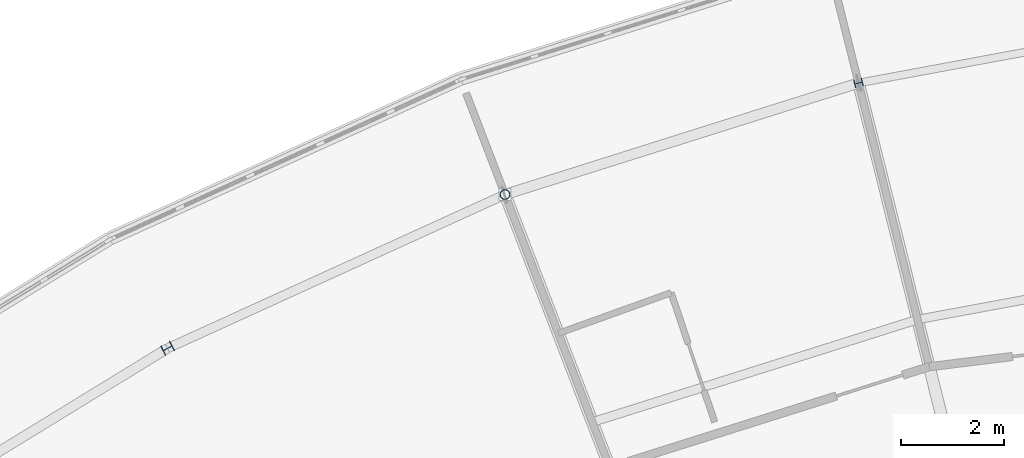
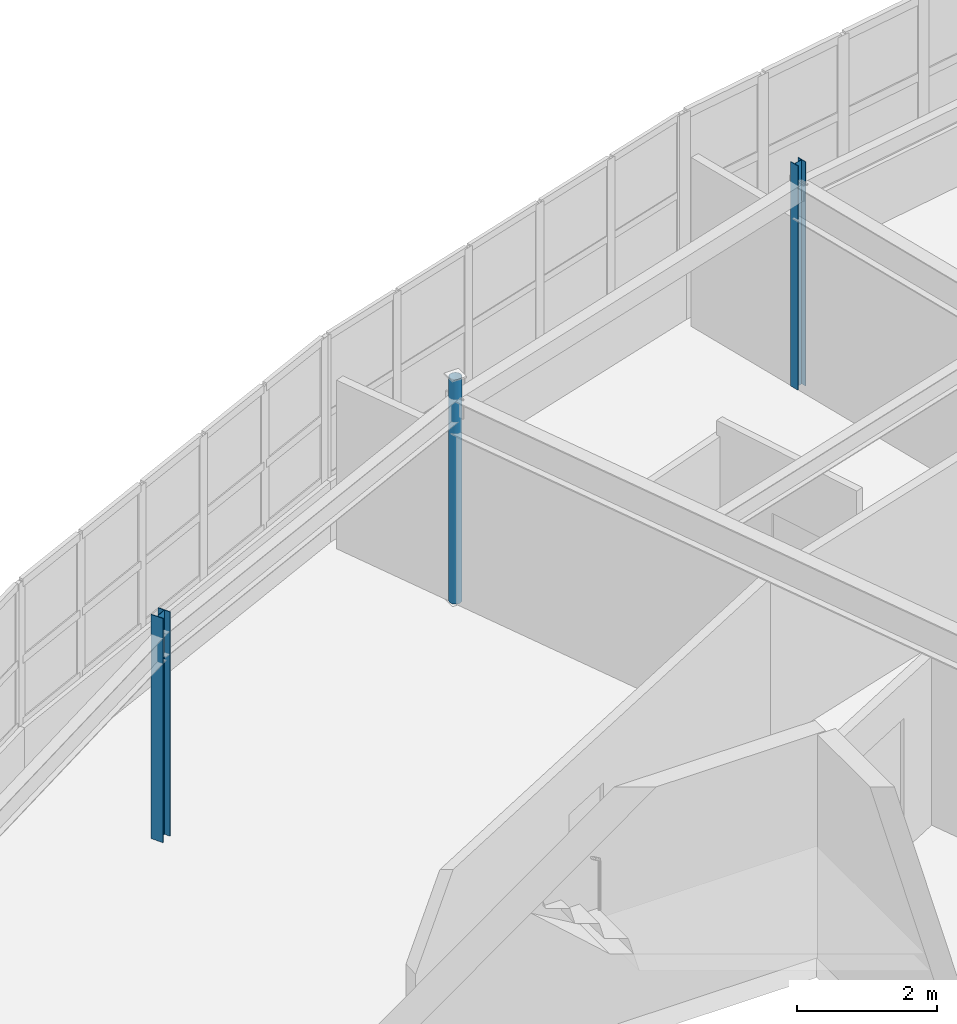
# One storey, part 11 of 79: 3 columns.
"""IFC4 building model written with IfcOpenShell, lengths in metres."""

import ifcopenshell
import ifcopenshell.guid

model = None  # the IFC model being written
_history = None  # IfcOwnerHistory: only IFC2X3 demands one
_inside = {}  # id of a spatial element -> (the spatial element, [elements in it])
_under = {}  # id of a project, library or spatial element -> (it, [spatial elements below it])
_declared = {}  # id of a project -> (the project, [libraries it declares])
_typed = {}  # id of a type object -> (the type object, [elements of that type])
_made_of = {}  # id of a material, layer set ... -> (it, [elements and type objects made of it])


def new_model(schema):
    """Start an empty IFC model of exactly this schema.

    Asked for "IFC4X3", IfcOpenShell would pick the latest addendum, in which some entities
    have other attributes; the version numbers below select the first issue.
    IFC2X3 requires an IfcOwnerHistory on every rooted entity: one is made here for all.
    """
    global model, _history
    if schema == "IFC4X3":
        model = ifcopenshell.file(schema_version=(4, 3, 0, 0))
    else:
        model = ifcopenshell.file(schema=schema)
    _inside.clear()
    _under.clear()
    _declared.clear()
    _typed.clear()
    _made_of.clear()
    _history = None
    if model.schema == "IFC2X3":
        org = make("IfcOrganization", Name="unknown")
        user = make(
            "IfcPersonAndOrganization",
            ThePerson=make("IfcPerson", FamilyName="unknown"),
            TheOrganization=org,
        )
        app = make(
            "IfcApplication",
            ApplicationDeveloper=org,
            Version="unknown",
            ApplicationFullName="unknown",
            ApplicationIdentifier="unknown",
        )
        _history = make(
            "IfcOwnerHistory",
            OwningUser=user,
            OwningApplication=app,
            ChangeAction="ADDED",
            CreationDate=0,
        )
    return model


def make(cls, **values):
    """One entity of the class cls with the attributes given. An attribute that is None is left unset."""
    return model.create_entity(
        cls, **{name: value for name, value in values.items() if value is not None}
    )


def rooted(cls, **values):
    """An entity with a GlobalId (a new one), such as an element, a storey or a relation."""
    return make(cls, GlobalId=ifcopenshell.guid.new(), OwnerHistory=_history, **values)


def si_unit(unit_type, name, prefix=None):
    """IfcSIUnit, for example si_unit("LENGTHUNIT", "METRE", prefix="MILLI")."""
    return make("IfcSIUnit", UnitType=unit_type, Prefix=prefix, Name=name)


def assignment(units):
    """IfcUnitAssignment: the units of a project."""
    return None if units is None else make("IfcUnitAssignment", Units=units)


def point(xyz):
    """IfcCartesianPoint."""
    return None if xyz is None else make("IfcCartesianPoint", Coordinates=xyz)


def direction(xyz):
    """IfcDirection."""
    return None if xyz is None else make("IfcDirection", DirectionRatios=xyz)


def frame(location, z_axis=None, x_axis=None):
    """IfcAxis2Placement3D, a coordinate frame: its origin and axes. An axis left out is left unset."""
    return make(
        "IfcAxis2Placement3D",
        Location=point(location),
        Axis=direction(z_axis),
        RefDirection=direction(x_axis),
    )


def frame_2d(location, x_axis=None):
    """IfcAxis2Placement2D, a coordinate frame in the plane: its origin and x axis."""
    return make(
        "IfcAxis2Placement2D", Location=point(location), RefDirection=direction(x_axis)
    )


def origin():
    """The frame at (0, 0, 0) with its axes left unset."""
    return frame((0.0, 0.0, 0.0))


def origin_2d():
    """The frame at (0, 0) in the plane with its x axis left unset."""
    return frame_2d((0.0, 0.0))


def place(relative_to, where):
    """IfcLocalPlacement: puts the frame where relative to a parent placement (None: the world)."""
    return make(
        "IfcLocalPlacement", PlacementRelTo=relative_to, RelativePlacement=where
    )


def context(
    kind, dimensions, precision=None, world=None, true_north=None, identifier=None
):
    """IfcGeometricRepresentationContext, for example the 3D "Model" context."""
    return make(
        "IfcGeometricRepresentationContext",
        ContextIdentifier=identifier,
        ContextType=kind,
        CoordinateSpaceDimension=dimensions,
        Precision=precision,
        WorldCoordinateSystem=world,
        TrueNorth=true_north,
    )


def subcontext(parent, identifier, kind, view, scale=None):
    """IfcGeometricRepresentationSubContext, for example "Body" below "Model"."""
    return make(
        "IfcGeometricRepresentationSubContext",
        ContextIdentifier=identifier,
        ContextType=kind,
        ParentContext=parent,
        TargetScale=scale,
        TargetView=view,
    )


def project(units=None, contexts=None):
    """IfcProject with its units and contexts."""
    return rooted(
        "IfcProject",
        Name="project",
        RepresentationContexts=contexts,
        UnitsInContext=assignment(units),
    )


def spatial(cls, under=None, at=None, **own):
    """A site, building, storey or space (cls), placed at a placement, below another one or the project."""
    s = rooted(cls, ObjectPlacement=at, **own)
    if under is not None:
        _under.setdefault(under.id(), (under, []))[1].append(s)
    return s


def profile(cls, at=None, kind="AREA", **sizes):
    """A parametric profile (cls). Its sizes go by their IFC names, for example OverallWidth=200.0."""
    return make(cls, ProfileType=kind, Position=at, **sizes)


def hollow_circle(**sizes):
    """IfcCircleHollowProfileDef."""
    return profile("IfcCircleHollowProfileDef", **sizes)


def i_section(**sizes):
    """IfcIShapeProfileDef."""
    return profile("IfcIShapeProfileDef", **sizes)


def extrude(swept, where, along, depth):
    """IfcExtrudedAreaSolid: the profile swept, set in the frame where, extruded along a direction by depth."""
    return make(
        "IfcExtrudedAreaSolid",
        SweptArea=swept,
        Position=where,
        ExtrudedDirection=direction(along),
        Depth=depth,
    )


def shape(context_of_items, identifier, shape_type, items):
    """IfcShapeRepresentation: the items that make up one representation, for example the "Body"."""
    return make(
        "IfcShapeRepresentation",
        ContextOfItems=context_of_items,
        RepresentationIdentifier=identifier,
        RepresentationType=shape_type,
        Items=items,
    )


def material(Name=None, Category=None):
    """IfcMaterial."""
    return make("IfcMaterial", Name=Name, Category=Category)


def material_profile(
    of_material, cross_section, Name=None, Category=None, Priority=None
):
    """IfcMaterialProfile: a cross section and its material."""
    return make(
        "IfcMaterialProfile",
        Name=Name,
        Material=of_material,
        Profile=cross_section,
        Priority=Priority,
        Category=Category,
    )


def profile_set(profiles, Name=None, composite=None):
    """IfcMaterialProfileSet."""
    return make(
        "IfcMaterialProfileSet",
        Name=Name,
        MaterialProfiles=profiles,
        CompositeProfile=composite,
    )


def made_of(thing, what):
    """Note that an element or type object is made of a material, layer set ...; save() writes the relation."""
    if what is not None:
        _made_of.setdefault(what.id(), (what, []))[1].append(thing)
    return thing


def type_object(cls, material=None, **own):
    """A type object (cls), such as IfcWallType, which elements share."""
    return made_of(rooted(cls, **own), material)


def element(
    cls,
    number,
    at=None,
    inside=None,
    cuts=None,
    type_object=None,
    material=None,
    context=None,
    identifier="Body",
    shape_type=None,
    held_by="IfcProductDefinitionShape",
    body=None,
    shapes=None,
    **own,
):
    """One element of the class cls, such as IfcWall. Its Tag is "e" and its number.

    at: its placement. inside: the storey or other place that contains it. cuts: it is an
    opening in that element (IfcRelVoidsElement). A single representation is given by context,
    identifier, shape_type and body (its items); several are given by shapes. held_by: the class
    of the entity that holds the representations. save() writes the other relations.
    """
    e = rooted(cls, Tag="e%d" % number, ObjectPlacement=at, **own)
    if body is not None:
        shapes = [shape(context, identifier, shape_type, body)]
    if shapes is not None:
        e.Representation = make(held_by, Representations=shapes)
    if inside is not None:
        _inside.setdefault(inside.id(), (inside, []))[1].append(e)
    if cuts is not None:
        rooted(
            "IfcRelVoidsElement", RelatingBuildingElement=cuts, RelatedOpeningElement=e
        )
    if type_object is not None:
        _typed.setdefault(type_object.id(), (type_object, []))[1].append(e)
    return made_of(e, material)


def aggregate(whole, parts):
    """IfcRelAggregates: a whole, such as a stair, and the parts it consists of."""
    return rooted("IfcRelAggregates", RelatingObject=whole, RelatedObjects=parts)


def save(model, path):
    """Write the relations noted so far, then the file.

    IfcRelAggregates (storeys below a building ...), IfcRelContainedInSpatialStructure (elements
    in a storey), IfcRelDefinesByType, IfcRelAssociatesMaterial and IfcRelDeclares: one each for
    every whole, place, type object, material and project.
    """
    for whole, parts in _under.values():
        aggregate(whole, parts)
    for where, things in _inside.values():
        rooted(
            "IfcRelContainedInSpatialStructure",
            RelatedElements=things,
            RelatingStructure=where,
        )
    for kind, things in _typed.values():
        rooted("IfcRelDefinesByType", RelatedObjects=things, RelatingType=kind)
    for what, things in _made_of.values():
        rooted("IfcRelAssociatesMaterial", RelatedObjects=things, RelatingMaterial=what)
    for by, libraries in _declared.values():
        rooted("IfcRelDeclares", RelatingContext=by, RelatedDefinitions=libraries)
    model.write(path)


model = new_model("IFC4")

# Units and contexts
model_context = context("Model", 3, precision=1e-05, world=origin(), true_north=direction((0.0, 1.0)))
body_context = subcontext(model_context, "Body", "Model", "MODEL_VIEW")
ifc_project = project(units=[si_unit("LENGTHUNIT", "METRE"), si_unit("AREAUNIT", "SQUARE_METRE"), si_unit("VOLUMEUNIT", "CUBIC_METRE"), si_unit("PLANEANGLEUNIT", "RADIAN"), si_unit("MASSUNIT", "GRAM", prefix="KILO")], contexts=[model_context])

# Site, building, storey
site_placement = place(None, origin())
site = spatial("IfcSite", under=ifc_project, at=site_placement, CompositionType="ELEMENT")
building_placement = place(site_placement, origin())
building = spatial("IfcBuilding", under=site, at=building_placement, Name="Tarnwether General Hospital", CompositionType="ELEMENT")
storey_placement = place(building_placement, frame((0.0, 0.0, 18.300048828125)))
storey = spatial("IfcBuildingStorey", under=building, at=storey_placement, Name="L04", CompositionType="ELEMENT", Elevation=18.300048828125)

# Columns
ifc_material_1 = material(Name="Steel Grade 350 (350 MPa)", Category="steel")
ifc_material_profile_1 = material_profile(ifc_material_1, i_section(OverallWidth=0.202880859375, OverallDepth=0.202880859375, WebThickness=0.00732421875, FlangeThickness=0.010986328125, at=origin_2d()), Name="200UC46.2")
ifc_profile_set_1 = profile_set([ifc_material_profile_1], Name="Steel Grade 350 (350 MPa)")
column_type_1 = type_object("IfcColumnType", Name="COL-27", PredefinedType="COLUMN", material=ifc_profile_set_1)
column_1_placement = place(storey_placement, frame((64.20703125, 115.27001953125, 0.0), z_axis=(0.0, 0.0, 1.0), x_axis=(-0.469471562786, 0.882947592859, 0.0)))
element("IfcColumn", 1, at=column_1_placement, inside=storey, type_object=column_type_1, Name="Column COLG-L04-6421_11527", PredefinedType="COLUMN", context=body_context, shape_type="SweptSolid", body=[
    extrude(i_section(OverallWidth=0.202880859375, OverallDepth=0.202880859375, WebThickness=0.00732421875, FlangeThickness=0.010986328125, at=origin_2d()), origin(), (0.0, 0.0, 1.0), 3.89990234375),
])
ifc_material_2 = material(Name="Steel Grade C350L0 (350 MPa)", Category="steel")
ifc_material_profile_2 = material_profile(ifc_material_2, hollow_circle(Radius=0.096923828125, WallThickness=0.008056640625, at=origin_2d()), Name="CHS193.7x8.0")
ifc_profile_set_2 = profile_set([ifc_material_profile_2], Name="Steel Grade C350L0 (350 MPa)")
column_type_2 = type_object("IfcColumnType", Name="COL-29", PredefinedType="COLUMN", material=ifc_profile_set_2)
column_2_placement = place(storey_placement, frame((70.784912109375, 118.26806640625, 0.0), z_axis=(0.0, 0.0, 1.0), x_axis=(-0.358367949545, 0.933580426497, 0.0)))
element("IfcColumn", 2, at=column_2_placement, inside=storey, type_object=column_type_2, Name="Column COLG-L04-7078_11827", PredefinedType="COLUMN", context=body_context, shape_type="SweptSolid", body=[
    extrude(hollow_circle(Radius=0.096923828125, WallThickness=0.008056640625, at=origin_2d()), origin(), (0.0, 0.0, 1.0), 3.89990234375),
])
ifc_material_3 = material(Name="Steel Grade 350 (350 MPa)", Category="steel")
ifc_material_profile_3 = material_profile(ifc_material_3, i_section(OverallWidth=0.153076171875, OverallDepth=0.157958984375, WebThickness=0.006591796875, FlangeThickness=0.009521484375, at=origin_2d()), Name="150UC30.0")
ifc_profile_set_3 = profile_set([ifc_material_profile_3], Name="Steel Grade 350 (350 MPa)")
column_type_3 = type_object("IfcColumnType", Name="COL-31", PredefinedType="COLUMN", material=ifc_profile_set_3)
column_3_placement = place(storey_placement, frame((77.677978515625, 120.44189453125, 0.0), z_axis=(0.0, 0.0, 1.0), x_axis=(-0.2419218956, 0.970295726276, 0.0)))
element("IfcColumn", 3, at=column_3_placement, inside=storey, type_object=column_type_3, Name="Column COLG-L04-7768_12044", PredefinedType="COLUMN", context=body_context, shape_type="SweptSolid", body=[
    extrude(i_section(OverallWidth=0.153076171875, OverallDepth=0.157958984375, WebThickness=0.006591796875, FlangeThickness=0.009521484375, at=origin_2d()), origin(), (0.0, 0.0, 1.0), 3.89990234375),
])

save(model, "model.ifc")
